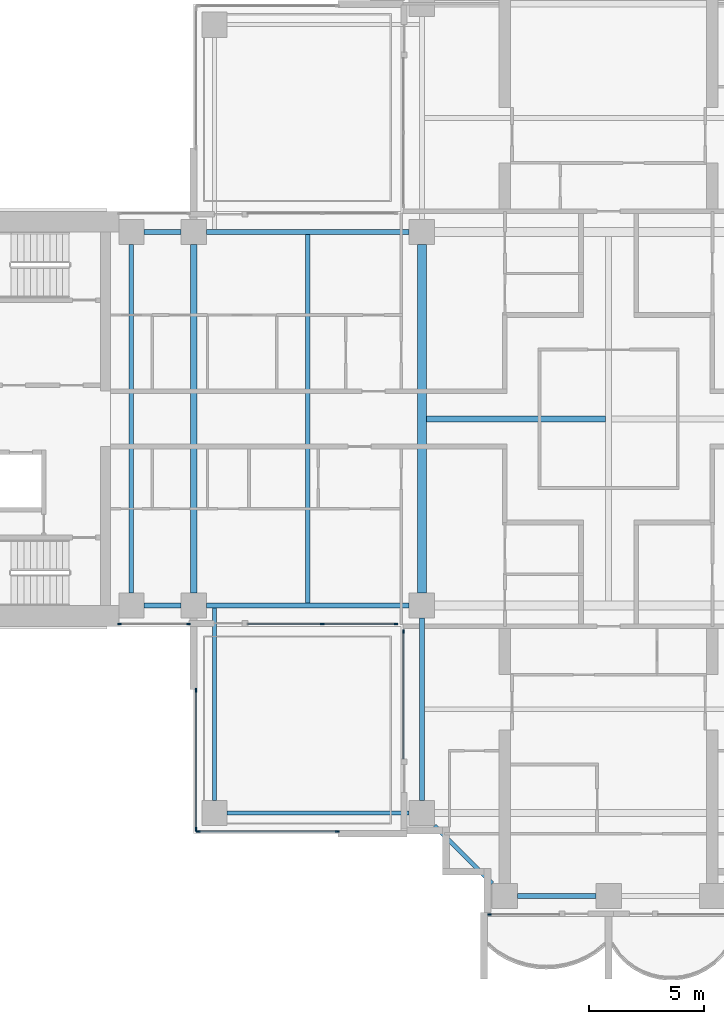
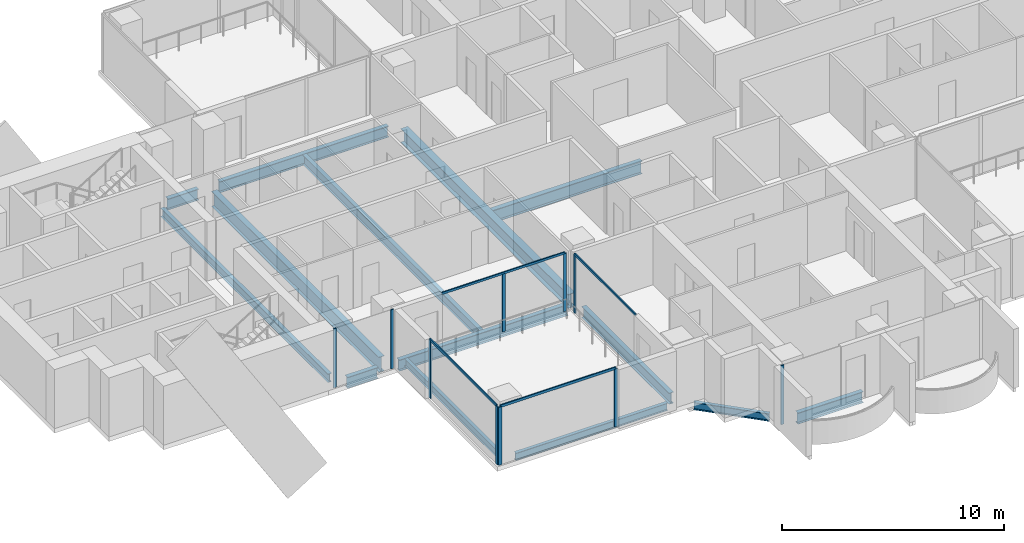
# One storey, part 2 of 19: 14 beams, 14 members, 6 elements without a shape of their own.
"""IFC4 building model written with IfcOpenShell, lengths in metres."""

from ifc_helpers import new_model, si_unit, direction, frame, origin, origin_2d, place, context, subcontext, project, spatial, rectangle, i_section, extrude, material, material_profile, profile_set, type_object, element, aggregate, save


model = new_model("IFC4")

# Units and contexts
model_context = context("Model", 3, precision=1e-05, world=origin(), true_north=direction((0.0, 1.0)))
body_context = subcontext(model_context, "Body", "Model", "MODEL_VIEW")
ifc_project = project(units=[si_unit("LENGTHUNIT", "METRE"), si_unit("AREAUNIT", "SQUARE_METRE"), si_unit("VOLUMEUNIT", "CUBIC_METRE"), si_unit("PLANEANGLEUNIT", "RADIAN"), si_unit("MASSUNIT", "GRAM", prefix="KILO")], contexts=[model_context])

# Site, building, storey
site_placement = place(None, origin())
site = spatial("IfcSite", under=ifc_project, at=site_placement, CompositionType="ELEMENT")
building_placement = place(site_placement, origin())
building = spatial("IfcBuilding", under=site, at=building_placement, Name="Perihelion Cross Residences", CompositionType="ELEMENT")
storey_placement = place(building_placement, frame((0.0, 0.0, 137.39990234375)))
storey = spatial("IfcBuildingStorey", under=building, at=storey_placement, Name="L33", CompositionType="ELEMENT", Elevation=137.39990234375)

# Curtain wall, members
ifc_material_1 = material(Name="Bronze anodised aluminium, tinted glazing", Category="aluminium")
curtain_wall_type_1 = type_object("IfcCurtainWallType", Name="CW1", PredefinedType="NOTDEFINED", material=ifc_material_1)
curtain_wall_1_placement = place(storey_placement, origin())
curtain_wall_1 = element("IfcCurtainWall", 1, at=curtain_wall_1_placement, inside=storey, type_object=curtain_wall_type_1, Name="Curtain wall CW1 L33 west side south bay 1", PredefinedType="NOTDEFINED")
ifc_material_2 = material(Name="Bronze anodised aluminium", Category="aluminium")
ifc_material_profile_1 = material_profile(ifc_material_2, rectangle(XDim=0.06005859375, YDim=0.159912109375, at=origin_2d()), Name="CW1 mullion")
ifc_profile_set_1 = profile_set([ifc_material_profile_1], Name="Bronze anodised aluminium")
member_type_1 = type_object("IfcMemberType", Name="CW1 mullion", PredefinedType="MULLION", material=ifc_profile_set_1)
member_1_placement = place(storey_placement, frame((-21.219970703125, -8.89990234375, 0.0), z_axis=(0.0, 0.0, 1.0), x_axis=(0.0, 1.0, 0.0)))
member_1 = element("IfcMember", 2, at=member_1_placement, type_object=member_type_1, Name="CW1 mullion 1", PredefinedType="MULLION", context=body_context, shape_type="SweptSolid", body=[
    extrude(rectangle(XDim=0.06005859375, YDim=0.159912109375, at=origin_2d()), origin(), (0.0, 0.0, 1.0), 3.25),
])
member_2_placement = place(storey_placement, frame((-18.22998046875, -8.89990234375, 0.0), z_axis=(0.0, 0.0, 1.0), x_axis=(0.0, 1.0, 0.0)))
member_2 = element("IfcMember", 3, at=member_2_placement, type_object=member_type_1, Name="CW1 mullion 2", PredefinedType="MULLION", context=body_context, shape_type="SweptSolid", body=[
    extrude(rectangle(XDim=0.06005859375, YDim=0.159912109375, at=origin_2d()), origin(), (0.0, 0.0, 1.0), 3.25),
])
aggregate(curtain_wall_1, [member_1, member_2])

curtain_wall_2_placement = place(storey_placement, origin())
curtain_wall_2 = element("IfcCurtainWall", 4, at=curtain_wall_2_placement, inside=storey, type_object=curtain_wall_type_1, Name="Curtain wall CW1 L33 west side south bay 2", PredefinedType="NOTDEFINED")
member_3_placement = place(storey_placement, frame((-12.425048828125, -8.89990234375, 0.0), z_axis=(0.0, 0.0, 1.0), x_axis=(0.0, 1.0, 0.0)))
member_3 = element("IfcMember", 5, at=member_3_placement, type_object=member_type_1, Name="CW1 mullion 2", PredefinedType="MULLION", context=body_context, shape_type="SweptSolid", body=[
    extrude(rectangle(XDim=0.06005859375, YDim=0.159912109375, at=origin_2d()), origin(), (0.0, 0.0, 1.0), 3.190185546875),
])
member_4_placement = place(storey_placement, frame((-9.22998046875, -8.89990234375, 0.0), z_axis=(0.0, 0.0, 1.0), x_axis=(0.0, 1.0, 0.0)))
member_4 = element("IfcMember", 6, at=member_4_placement, type_object=member_type_1, Name="CW1 mullion 3", PredefinedType="MULLION", context=body_context, shape_type="SweptSolid", body=[
    extrude(rectangle(XDim=0.06005859375, YDim=0.159912109375, at=origin_2d()), origin(), (0.0, 0.0, 1.0), 3.190185546875),
])

# Curtain wall, member
curtain_wall_3_placement = place(storey_placement, origin())
curtain_wall_3 = element("IfcCurtainWall", 7, at=curtain_wall_3_placement, inside=storey, type_object=curtain_wall_type_1, Name="Curtain wall CW1 L33 south side west bay 1", PredefinedType="NOTDEFINED")
member_5_placement = place(storey_placement, frame((-8.89990234375, -9.22998046875, 0.0), z_axis=(0.0, 0.0, 1.0), x_axis=(1.0, 0.0, 0.0)))
member_5 = element("IfcMember", 8, at=member_5_placement, type_object=member_type_1, Name="CW1 mullion 1", PredefinedType="MULLION", context=body_context, shape_type="SweptSolid", body=[
    extrude(rectangle(XDim=0.06005859375, YDim=0.159912109375, at=origin_2d()), origin(), (0.0, 0.0, 1.0), 3.190185546875),
])

curtain_wall_4_placement = place(storey_placement, origin())
curtain_wall_4 = element("IfcCurtainWall", 9, at=curtain_wall_4_placement, inside=storey, type_object=curtain_wall_type_1, Name="Curtain wall CW1 L33 south tip south bay 1", PredefinedType="NOTDEFINED")
member_6_placement = place(storey_placement, frame((-5.169921875, -21.5, 0.0), z_axis=(0.0, 0.0, 1.0), x_axis=(0.0, 1.0, 0.0)))
member_6 = element("IfcMember", 10, at=member_6_placement, type_object=member_type_1, Name="CW1 mullion 1", PredefinedType="MULLION", context=body_context, shape_type="SweptSolid", body=[
    extrude(rectangle(XDim=0.06005859375, YDim=0.159912109375, at=origin_2d()), origin(), (0.0, 0.0, 1.0), 3.25),
])
aggregate(curtain_wall_4, [member_6])

# Member
ifc_material_3 = material(Name="Bronze anodised aluminium", Category="aluminium")
ifc_material_profile_2 = material_profile(ifc_material_3, rectangle(XDim=0.06005859375, YDim=0.1201171875, at=origin_2d()), Name="CW1 transom")
ifc_profile_set_2 = profile_set([ifc_material_profile_2], Name="Bronze anodised aluminium")
member_type_2 = type_object("IfcMemberType", Name="CW1 transom", PredefinedType="USERDEFINED", material=ifc_profile_set_2)
member_7_placement = place(storey_placement, frame((-15.64990234375, -8.89990234375, 3.22021484375), z_axis=(1.0, 0.0, 0.0), x_axis=(0.0, 1.0, 0.0)))
member_7 = element("IfcMember", 11, at=member_7_placement, type_object=member_type_2, Name="CW1 head transom", ObjectType="TRANSOM", PredefinedType="USERDEFINED", context=body_context, shape_type="SweptSolid", body=[
    extrude(rectangle(XDim=0.06005859375, YDim=0.1201171875, at=origin_2d()), origin(), (0.0, 0.0, 1.0), 6.419921875),
])

aggregate(curtain_wall_2, [member_3, member_4, member_7])

member_8_placement = place(storey_placement, frame((-8.89990234375, -9.22998046875, 3.22021484375), z_axis=(0.0, -1.0, 0.0), x_axis=(1.0, 0.0, 0.0)))
member_8 = element("IfcMember", 12, at=member_8_placement, type_object=member_type_2, Name="CW1 head transom", ObjectType="TRANSOM", PredefinedType="USERDEFINED", context=body_context, shape_type="SweptSolid", body=[
    extrude(rectangle(XDim=0.06005859375, YDim=0.1201171875, at=origin_2d()), origin(), (0.0, 0.0, 1.0), 5.52001953125),
])

aggregate(curtain_wall_3, [member_5, member_8])

# Curtain wall, members
ifc_material_4 = material(Name="Bronze anodised aluminium, tinted glazing", Category="aluminium")
curtain_wall_type_2 = type_object("IfcCurtainWallType", Name="CW4", PredefinedType="NOTDEFINED", material=ifc_material_4)
curtain_wall_5_placement = place(storey_placement, origin())
curtain_wall_5 = element("IfcCurtainWall", 13, at=curtain_wall_5_placement, inside=storey, type_object=curtain_wall_type_2, Name="Curtain wall CW4 L33 pocket south-west 1 1", PredefinedType="NOTDEFINED")
ifc_material_5 = material(Name="Bronze anodised aluminium", Category="aluminium")
ifc_material_profile_3 = material_profile(ifc_material_5, rectangle(XDim=0.06005859375, YDim=0.179931640625, at=origin_2d()), Name="CW4 mullion")
ifc_profile_set_3 = profile_set([ifc_material_profile_3], Name="Bronze anodised aluminium")
member_type_3 = type_object("IfcMemberType", Name="CW4 mullion", PredefinedType="MULLION", material=ifc_profile_set_3)
member_9_placement = place(storey_placement, frame((-11.77001953125, -17.89990234375, 0.0), z_axis=(0.0, 0.0, 1.0), x_axis=(0.0, -1.0, 0.0)))
member_9 = element("IfcMember", 14, at=member_9_placement, type_object=member_type_3, Name="CW4 mullion 1", PredefinedType="MULLION", context=body_context, shape_type="SweptSolid", body=[
    extrude(rectangle(XDim=0.06005859375, YDim=0.179931640625, at=origin_2d()), origin(), (0.0, 0.0, 1.0), 3.190185546875),
])
member_10_placement = place(storey_placement, frame((-17.800048828125, -17.89990234375, 0.0), z_axis=(0.0, 0.0, 1.0), x_axis=(0.0, -1.0, 0.0)))
member_10 = element("IfcMember", 15, at=member_10_placement, type_object=member_type_3, Name="CW4 mullion 2", PredefinedType="MULLION", context=body_context, shape_type="SweptSolid", body=[
    extrude(rectangle(XDim=0.06005859375, YDim=0.179931640625, at=origin_2d()), origin(), (0.0, 0.0, 1.0), 3.190185546875),
])

curtain_wall_6_placement = place(storey_placement, origin())
curtain_wall_6 = element("IfcCurtainWall", 16, at=curtain_wall_6_placement, inside=storey, type_object=curtain_wall_type_2, Name="Curtain wall CW4 L33 pocket south-west 1 2", PredefinedType="NOTDEFINED")
member_11_placement = place(storey_placement, frame((-17.89990234375, -17.800048828125, 0.0), z_axis=(0.0, 0.0, 1.0), x_axis=(-1.0, 0.0, 0.0)))
member_11 = element("IfcMember", 17, at=member_11_placement, type_object=member_type_3, Name="CW4 mullion 1", PredefinedType="MULLION", context=body_context, shape_type="SweptSolid", body=[
    extrude(rectangle(XDim=0.06005859375, YDim=0.179931640625, at=origin_2d()), origin(), (0.0, 0.0, 1.0), 3.190185546875),
])
member_12_placement = place(storey_placement, frame((-17.89990234375, -11.77001953125, 0.0), z_axis=(0.0, 0.0, 1.0), x_axis=(-1.0, 0.0, 0.0)))
member_12 = element("IfcMember", 18, at=member_12_placement, type_object=member_type_3, Name="CW4 mullion 2", PredefinedType="MULLION", context=body_context, shape_type="SweptSolid", body=[
    extrude(rectangle(XDim=0.06005859375, YDim=0.179931640625, at=origin_2d()), origin(), (0.0, 0.0, 1.0), 3.190185546875),
])

# Member
ifc_material_6 = material(Name="Bronze anodised aluminium", Category="aluminium")
ifc_material_profile_4 = material_profile(ifc_material_6, rectangle(XDim=0.06005859375, YDim=0.139892578125, at=origin_2d()), Name="CW4 transom")
ifc_profile_set_4 = profile_set([ifc_material_profile_4], Name="Bronze anodised aluminium")
member_type_4 = type_object("IfcMemberType", Name="CW4 transom", PredefinedType="USERDEFINED", material=ifc_profile_set_4)
member_13_placement = place(storey_placement, frame((-11.77001953125, -17.89990234375, 3.22021484375), z_axis=(-1.0, 0.0, 0.0), x_axis=(0.0, -1.0, 0.0)))
member_13 = element("IfcMember", 19, at=member_13_placement, type_object=member_type_4, Name="CW4 head transom", ObjectType="TRANSOM", PredefinedType="USERDEFINED", context=body_context, shape_type="SweptSolid", body=[
    extrude(rectangle(XDim=0.06005859375, YDim=0.139892578125, at=origin_2d()), origin(), (0.0, 0.0, 1.0), 6.030029296875),
])

aggregate(curtain_wall_5, [member_9, member_10, member_13])

member_14_placement = place(storey_placement, frame((-17.89990234375, -17.800048828125, 3.22021484375), z_axis=(0.0, 1.0, 0.0), x_axis=(-1.0, 0.0, 0.0)))
member_14 = element("IfcMember", 20, at=member_14_placement, type_object=member_type_4, Name="CW4 head transom", ObjectType="TRANSOM", PredefinedType="USERDEFINED", context=body_context, shape_type="SweptSolid", body=[
    extrude(rectangle(XDim=0.06005859375, YDim=0.139892578125, at=origin_2d()), origin(), (0.0, 0.0, 1.0), 6.030029296875),
])

aggregate(curtain_wall_6, [member_11, member_12, member_14])

# Beams
ifc_material_7 = material(Name="Steel S355", Category="steel")
ifc_material_profile_5 = material_profile(ifc_material_7, i_section(OverallWidth=0.177978515625, OverallDepth=0.406005859375, WebThickness=0.0078125, FlangeThickness=0.0126953125, at=origin_2d()), Name="W410x60")
ifc_profile_set_5 = profile_set([ifc_material_profile_5], Name="Steel S355")
beam_type_1 = type_object("IfcBeamType", Name="Core edge beam W410x60", PredefinedType="BEAM", material=ifc_profile_set_5)
beam_1_placement = place(storey_placement, frame((-17.10009765625, -8.214599609375, -0.452880859375), z_axis=(0.0, -1.0, 0.0), x_axis=(1.0, 0.0, 0.0)))
element("IfcBeam", 21, at=beam_1_placement, inside=storey, type_object=beam_type_1, Name="Core edge beam TB2 L33 corner no. 1", PredefinedType="BEAM", context=body_context, shape_type="SweptSolid", body=[
    extrude(i_section(OverallWidth=0.177978515625, OverallDepth=0.406005859375, WebThickness=0.0078125, FlangeThickness=0.0126953125, at=origin_2d()), origin(), (0.0, 0.0, 1.0), 8.33544921875),
])
beam_2_placement = place(storey_placement, frame((-8.64990234375, -17.10009765625, -0.452880859375), z_axis=(-1.0, 0.0, 0.0), x_axis=(0.0, -1.0, 0.0)))
element("IfcBeam", 22, at=beam_2_placement, inside=storey, type_object=beam_type_1, Name="Core edge beam TB2 L33 corner no. 2", PredefinedType="BEAM", context=body_context, shape_type="SweptSolid", body=[
    extrude(i_section(OverallWidth=0.177978515625, OverallDepth=0.406005859375, WebThickness=0.0078125, FlangeThickness=0.0126953125, at=origin_2d()), origin(), (0.0, 0.0, 1.0), 7.900146484375),
])
ifc_material_8 = material(Name="Steel S355", Category="steel")
ifc_material_profile_6 = material_profile(ifc_material_8, i_section(OverallWidth=0.194091796875, OverallDepth=0.469970703125, WebThickness=0.0126953125, FlangeThickness=0.0205078125, at=origin_2d()), Name="W460x106")
ifc_profile_set_6 = profile_set([ifc_material_profile_6], Name="Steel S355")
beam_type_2 = type_object("IfcBeamType", Name="Core edge beam W460x106", PredefinedType="BEAM", material=ifc_profile_set_6)
beam_3_placement = place(storey_placement, frame((-20.699951171875, -7.550048828125, -0.48486328125), z_axis=(0.0, 1.0, 0.0), x_axis=(-1.0, 0.0, 0.0)))
element("IfcBeam", 23, at=beam_3_placement, inside=storey, type_object=beam_type_2, Name="Core edge beam TB5 L33 no. 1", PredefinedType="BEAM", context=body_context, shape_type="SweptSolid", body=[
    extrude(i_section(OverallWidth=0.194091796875, OverallDepth=0.469970703125, WebThickness=0.0126953125, FlangeThickness=0.0205078125, at=origin_2d()), origin(), (0.0, 0.0, 1.0), 15.10009765625),
])
ifc_material_9 = material(Name="Steel S355", Category="steel")
ifc_material_profile_7 = material_profile(ifc_material_9, i_section(OverallWidth=0.22900390625, OverallDepth=0.612060546875, WebThickness=0.011962890625, FlangeThickness=0.01953125, at=origin_2d()), Name="W610x125")
ifc_profile_set_7 = profile_set([ifc_material_profile_7], Name="Steel S355")
beam_type_3 = type_object("IfcBeamType", Name="Edge beam W610x125", PredefinedType="SPANDREL", material=ifc_profile_set_7)
beam_4_placement = place(storey_placement, frame((-8.64990234375, 8.10009765625, -0.555908203125), z_axis=(-1.0, 0.0, 0.0), x_axis=(0.0, -1.0, 0.0)))
element("IfcBeam", 24, at=beam_4_placement, inside=storey, type_object=beam_type_3, Name="Edge beam SB3 L33 no. 8", PredefinedType="SPANDREL", context=body_context, shape_type="SweptSolid", body=[
    extrude(i_section(OverallWidth=0.22900390625, OverallDepth=0.612060546875, WebThickness=0.011962890625, FlangeThickness=0.01953125, at=origin_2d()), origin(), (0.0, 0.0, 1.0), 8.800048828125),
])
for number, where, z_axis, x_axis, name in (
    (25, (-18.550048828125, 8.10009765625, -0.555908203125), (-1.0, 0.0, 0.0), (0.0, -1.0, 0.0), "Edge beam SB3 L33 no. 2"),
    (26, (-20.14990234375, -8.10009765625, -0.555908203125), (1.0, 0.0, 0.0), (0.0, 1.0, 0.0), "Edge beam SB3 L33 no. 3"),
):
    element("IfcBeam", number, at=place(storey_placement, frame(where, z_axis=z_axis, x_axis=x_axis)), inside=storey, type_object=beam_type_3, Name=name, PredefinedType="SPANDREL", context=body_context, shape_type="SweptSolid", body=[
        extrude(i_section(OverallWidth=0.22900390625, OverallDepth=0.612060546875, WebThickness=0.011962890625, FlangeThickness=0.01953125, at=origin_2d()), origin(), (0.0, 0.0, 1.0), 1.599853515625),
    ])
beam_5_placement = place(storey_placement, frame((-17.449951171875, -8.10009765625, -0.555908203125), z_axis=(1.0, 0.0, 0.0), x_axis=(0.0, 1.0, 0.0)))
element("IfcBeam", 27, at=beam_5_placement, inside=storey, type_object=beam_type_3, Name="Edge beam SB3 L33 no. 1", PredefinedType="SPANDREL", context=body_context, shape_type="SweptSolid", body=[
    extrude(i_section(OverallWidth=0.22900390625, OverallDepth=0.612060546875, WebThickness=0.011962890625, FlangeThickness=0.01953125, at=origin_2d()), origin(), (0.0, 0.0, 1.0), 8.800048828125),
])
beam_6_placement = place(storey_placement, frame((-8.10009765625, -8.64990234375, -0.555908203125), z_axis=(0.0, -1.0, 0.0), x_axis=(1.0, 0.0, 0.0)))
element("IfcBeam", 28, at=beam_6_placement, inside=storey, type_object=beam_type_3, Name="Edge beam SB3 L33 no. 5", PredefinedType="SPANDREL", context=body_context, shape_type="SweptSolid", body=[
    extrude(i_section(OverallWidth=0.22900390625, OverallDepth=0.612060546875, WebThickness=0.011962890625, FlangeThickness=0.01953125, at=origin_2d()), origin(), (0.0, 0.0, 1.0), 7.900146484375),
])
beam_7_placement = place(storey_placement, frame((-3.949951171875, -20.699951171875, -0.555908203125), z_axis=(1.0, 0.0, 0.0), x_axis=(0.0, 1.0, 0.0)))
element("IfcBeam", 29, at=beam_7_placement, inside=storey, type_object=beam_type_3, Name="Edge beam SB3 L33 no. 4", PredefinedType="SPANDREL", context=body_context, shape_type="SweptSolid", body=[
    extrude(i_section(OverallWidth=0.22900390625, OverallDepth=0.612060546875, WebThickness=0.011962890625, FlangeThickness=0.01953125, at=origin_2d()), origin(), (0.0, 0.0, 1.0), 3.39990234375),
])
ifc_material_10 = material(Name="Steel S355", Category="steel")
ifc_material_profile_8 = material_profile(ifc_material_10, i_section(OverallWidth=0.2919921875, OverallDepth=0.8359375, WebThickness=0.013916015625, FlangeThickness=0.018798828125, at=origin_2d()), Name="W840x176")
ifc_profile_set_8 = profile_set([ifc_material_profile_8], Name="Steel S355")
beam_type_4 = type_object("IfcBeamType", Name="Floor girder W840x176", PredefinedType="BEAM", material=ifc_profile_set_8)
beam_8_placement = place(storey_placement, frame((-18.0, -7.550048828125, -0.66796875), z_axis=(0.0, 1.0, 0.0), x_axis=(-1.0, 0.0, 0.0)))
element("IfcBeam", 30, at=beam_8_placement, inside=storey, type_object=beam_type_4, Name="Girder G3 L33 no. 1", PredefinedType="BEAM", context=body_context, shape_type="SweptSolid", body=[
    extrude(i_section(OverallWidth=0.2919921875, OverallDepth=0.8359375, WebThickness=0.013916015625, FlangeThickness=0.018798828125, at=origin_2d()), origin(), (0.0, 0.0, 1.0), 15.10009765625),
])
ifc_material_11 = material(Name="Steel S355", Category="steel")
ifc_material_profile_9 = material_profile(ifc_material_11, i_section(OverallWidth=0.208984375, OverallDepth=0.532958984375, WebThickness=0.01025390625, FlangeThickness=0.015625, at=origin_2d()), Name="W530x92")
ifc_profile_set_9 = profile_set([ifc_material_profile_9], Name="Steel S355")
beam_type_5 = type_object("IfcBeamType", Name="Floor joist W530x92", PredefinedType="JOIST", material=ifc_profile_set_9)
beam_9_placement = place(storey_placement, frame((-13.050048828125, -7.985595703125, -0.516357421875), z_axis=(0.0, 1.0, 0.0), x_axis=(-1.0, 0.0, 0.0)))
element("IfcBeam", 31, at=beam_9_placement, inside=storey, type_object=beam_type_5, Name="Joist J4 L33 no. 1", PredefinedType="JOIST", context=body_context, shape_type="SweptSolid", body=[
    extrude(i_section(OverallWidth=0.208984375, OverallDepth=0.532958984375, WebThickness=0.01025390625, FlangeThickness=0.015625, at=origin_2d()), origin(), (0.0, 0.0, 1.0), 15.97119140625),
])
ifc_material_12 = material(Name="Steel S355", Category="steel")
ifc_material_profile_10 = material_profile(ifc_material_12, i_section(OverallWidth=0.257080078125, OverallDepth=0.693115234375, WebThickness=0.014404296875, FlangeThickness=0.023681640625, at=origin_2d()), Name="W690x170")
ifc_profile_set_10 = profile_set([ifc_material_profile_10], Name="Steel S355")
beam_type_6 = type_object("IfcBeamType", Name="Hub cross beam W690x170", PredefinedType="BEAM", material=ifc_profile_set_10)
beam_10_placement = place(storey_placement, frame((-7.909423828125, 0.0, -0.596435546875), z_axis=(1.0, 0.0, 0.0), x_axis=(0.0, 1.0, 0.0)))
element("IfcBeam", 32, at=beam_10_placement, inside=storey, type_object=beam_type_6, Name="Hub cross beam XB3 L33 1 no. 1", PredefinedType="BEAM", context=body_context, shape_type="SweptSolid", body=[
    extrude(i_section(OverallWidth=0.257080078125, OverallDepth=0.693115234375, WebThickness=0.014404296875, FlangeThickness=0.023681640625, at=origin_2d()), origin(), (0.0, 0.0, 1.0), 7.781005859375),
])
ifc_material_13 = material(Name="Steel S355", Category="steel")
ifc_material_profile_11 = material_profile(ifc_material_13, i_section(OverallWidth=0.381103515625, OverallDepth=0.77197265625, WebThickness=0.0166015625, FlangeThickness=0.027099609375, at=origin_2d()), Name="W760x257")
ifc_profile_set_11 = profile_set([ifc_material_profile_11], Name="Steel S355")
beam_type_7 = type_object("IfcBeamType", Name="Hub ring girder W760x257", PredefinedType="BEAM", material=ifc_profile_set_11)
beam_11_placement = place(storey_placement, frame((-8.10009765625, 7.550048828125, -0.635986328125), z_axis=(0.0, -1.0, 0.0), x_axis=(1.0, 0.0, 0.0)))
element("IfcBeam", 33, at=beam_11_placement, inside=storey, type_object=beam_type_7, Name="Hub ring girder RG3 L33 no. 2", PredefinedType="BEAM", context=body_context, shape_type="SweptSolid", body=[
    extrude(i_section(OverallWidth=0.381103515625, OverallDepth=0.77197265625, WebThickness=0.0166015625, FlangeThickness=0.027099609375, at=origin_2d()), origin(), (0.0, 0.0, 1.0), 15.10009765625),
])
ifc_material_14 = material(Name="Steel S355", Category="steel")
ifc_material_profile_12 = material_profile(ifc_material_14, i_section(OverallWidth=0.180908203125, OverallDepth=0.4169921875, WebThickness=0.010986328125, FlangeThickness=0.018310546875, at=origin_2d()), Name="W410x85")
ifc_profile_set_12 = profile_set([ifc_material_profile_12], Name="Steel S355")
beam_type_8 = type_object("IfcBeamType", Name="Serration edge beam W410x85", PredefinedType="BEAM", material=ifc_profile_set_12)
beam_12_placement = place(storey_placement, frame((-7.550048828125, -17.64990234375, -0.45849609375), z_axis=(0.707106781187, -0.707106781187, 0.0), x_axis=(0.707106781187, 0.707106781187, 0.0)))
element("IfcBeam", 34, at=beam_12_placement, inside=storey, type_object=beam_type_8, Name="Serration edge beam EB3 L33 no. 2", PredefinedType="BEAM", context=body_context, shape_type="SweptSolid", body=[
    extrude(i_section(OverallWidth=0.180908203125, OverallDepth=0.4169921875, WebThickness=0.010986328125, FlangeThickness=0.018310546875, at=origin_2d()), origin(), (0.0, 0.0, 1.0), 3.53564453125),
])

save(model, "model.ifc")
